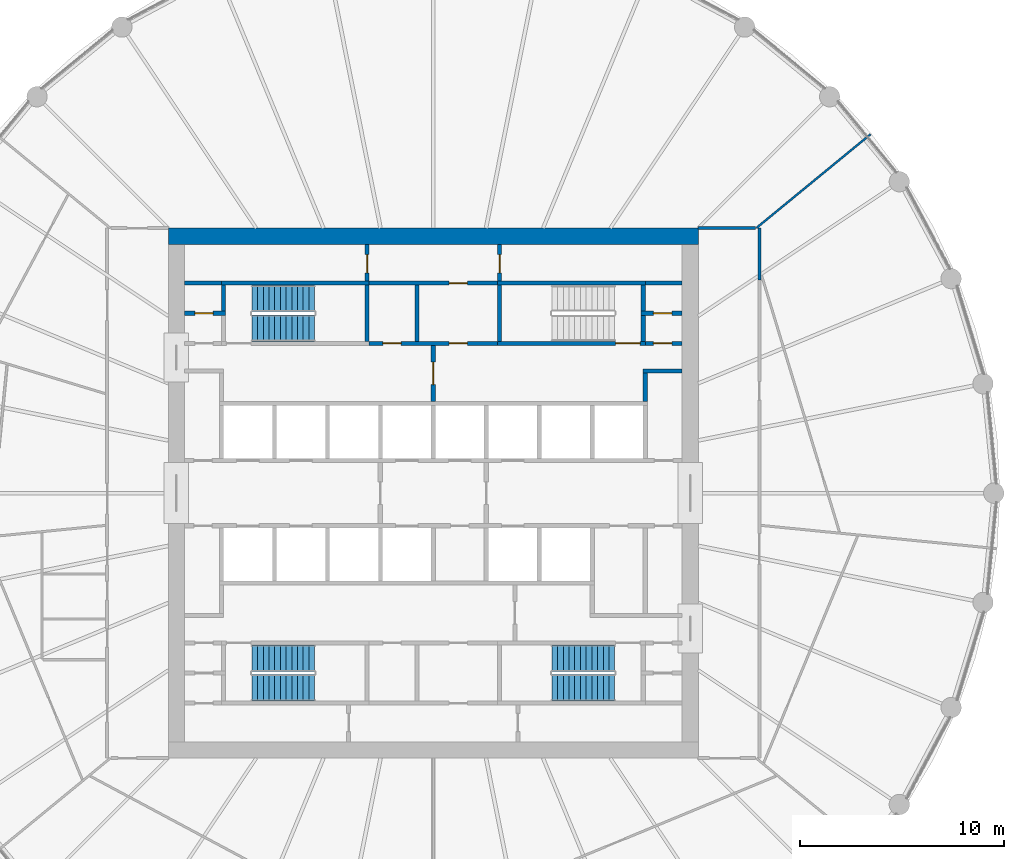
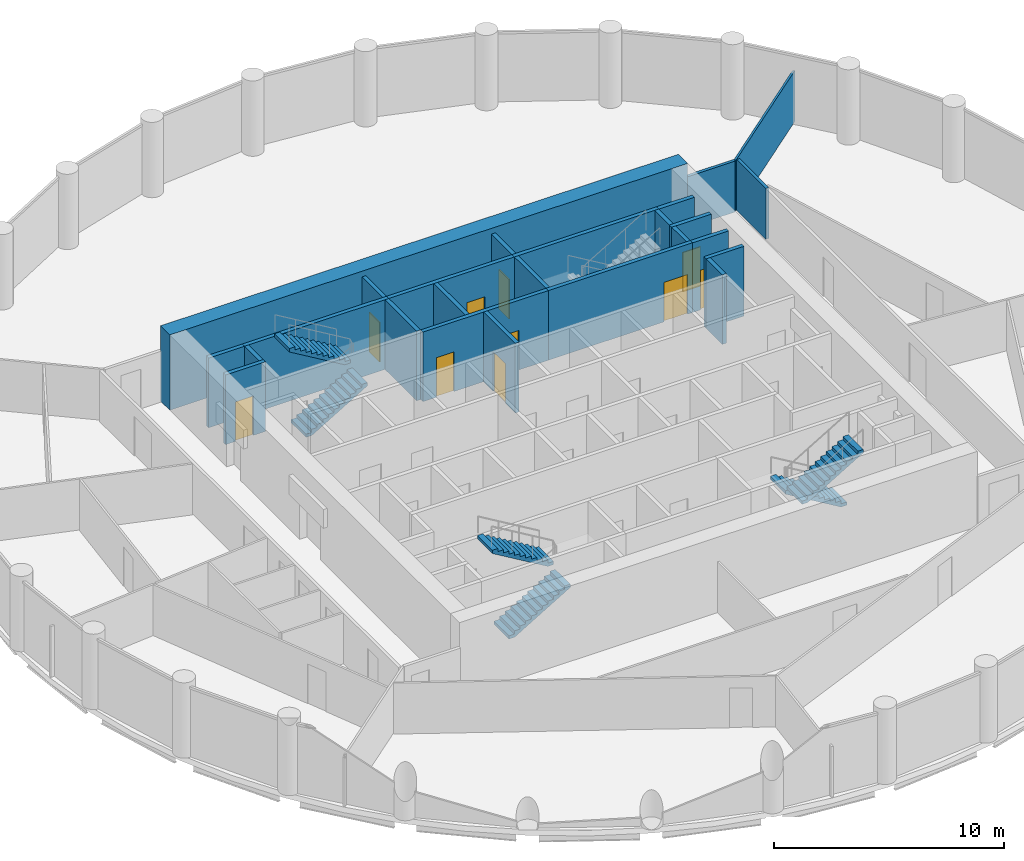
# One storey, part 7 of 9: 25 walls, 10 doors, 6 stair flights, 10 openings, 3 elements without a shape of their own.
"""IFC4 building model written with IfcOpenShell, lengths in metres."""

from ifc_helpers import new_model, si_unit, direction, frame, frame_2d, origin, place, context, subcontext, project, spatial, polyline, rectangle, outline, extrude, material, layer, layer_set, type_object, element, fill, aggregate, save


model = new_model("IFC4")

# Units and contexts
model_context = context("Model", 3, precision=1e-05, world=origin(), true_north=direction((0.0, 1.0)))
body_context = subcontext(model_context, "Body", "Model", "MODEL_VIEW")
ifc_project = project(units=[si_unit("LENGTHUNIT", "METRE"), si_unit("AREAUNIT", "SQUARE_METRE"), si_unit("VOLUMEUNIT", "CUBIC_METRE"), si_unit("PLANEANGLEUNIT", "RADIAN"), si_unit("MASSUNIT", "GRAM", prefix="KILO")], contexts=[model_context])

# Site, building, storey
site_placement = place(None, origin())
site = spatial("IfcSite", under=ifc_project, at=site_placement, CompositionType="ELEMENT")
building_placement = place(site_placement, origin())
building = spatial("IfcBuilding", under=site, at=building_placement, Name="Corvane Civic Tower", CompositionType="ELEMENT")
storey_placement = place(building_placement, frame((0.0, 0.0, 221.5)))
storey = spatial("IfcBuildingStorey", under=building, at=storey_placement, Name="L52", CompositionType="ELEMENT", Elevation=221.5)

# Wall
ifc_material_1 = material(Name="Concrete C50/60", Category="concrete")
ifc_layer_1 = layer(ifc_material_1, 0.800048828125)
ifc_layer_set_1 = layer_set([ifc_layer_1], Name="Concrete C50/60")
wall_type_1 = type_object("IfcWallType", Name="CORE WALL 800 C50/60", PredefinedType="SHEAR", material=ifc_layer_set_1)
wall_1_placement = place(storey_placement, frame((-13.0, 12.60009765625, 0.0), z_axis=(0.0, 0.0, 1.0), x_axis=(1.0, 0.0, 0.0)))
element("IfcWall", 1, at=wall_1_placement, inside=storey, type_object=wall_type_1, Name="W-L52-core-N", PredefinedType="SHEAR", context=body_context, shape_type="SweptSolid", body=[
    extrude(rectangle(XDim=26.0, YDim=0.800048828125, at=frame_2d((13.0, 0.0))), origin(), (0.0, 0.0, 1.0), 4.0),
])

# Wall, openings, doors
ifc_material_2 = material(Name="Concrete C30/37", Category="concrete")
ifc_layer_2 = layer(ifc_material_2, 0.199951171875)
ifc_layer_set_2 = layer_set([ifc_layer_2], Name="Concrete C30/37")
wall_type_2 = type_object("IfcWallType", Name="CR-WALL-200", PredefinedType="PARTITIONING", material=ifc_layer_set_2)
wall_2_placement = place(storey_placement, frame((-3.14990234375, 7.35009765625, 0.0), z_axis=(0.0, 0.0, 1.0), x_axis=(1.0, 0.0, 0.0)))
wall_2 = element("IfcWall", 2, at=wall_2_placement, inside=storey, type_object=wall_type_2, Name="L52 partition wall", PredefinedType="PARTITIONING", context=body_context, shape_type="SweptSolid", body=[
    extrude(rectangle(XDim=6.2998046875, YDim=0.199951171875, at=frame_2d((3.14990234375, 0.0))), origin(), (0.0, 0.0, 1.0), 3.699951171875),
])
opening_1_placement = place(wall_2_placement, frame((0.675048828125, 0.0, 0.0)))
opening_1 = element("IfcOpeningElement", 3, at=opening_1_placement, cuts=wall_2, Name="Opening L52.C07", PredefinedType="OPENING", context=body_context, shape_type="SweptSolid", body=[
    extrude(rectangle(XDim=0.89990234375, YDim=2.10009765625, at=frame_2d((0.449951171875, 1.050048828125))), frame((0.0, 0.10986328125, 0.0), z_axis=(0.0, -1.0, 0.0), x_axis=(1.0, 0.0, 0.0)), (0.0, 0.0, 1.0), 0.219970703125),
])
opening_2_placement = place(wall_2_placement, frame((3.925048828125, 0.0, 0.0)))
opening_2 = element("IfcOpeningElement", 4, at=opening_2_placement, cuts=wall_2, Name="Opening L52.C08", PredefinedType="OPENING", context=body_context, shape_type="SweptSolid", body=[
    extrude(rectangle(XDim=0.89990234375, YDim=2.10009765625, at=frame_2d((0.449951171875, 1.050048828125))), frame((0.0, 0.10986328125, 0.0), z_axis=(0.0, -1.0, 0.0), x_axis=(1.0, 0.0, 0.0)), (0.0, 0.0, 1.0), 0.219970703125),
])
ifc_material_3 = material(Name="Steel fire door leaf", Category="steel")
door_type_1 = type_object("IfcDoorType", Name="CR-DOOR-900", OperationType="SINGLE_SWING_LEFT", PredefinedType="DOOR", material=ifc_material_3)
door_1_placement = place(opening_1_placement, origin())
door_1 = element("IfcDoor", 5, at=door_1_placement, inside=storey, type_object=door_type_1, Name="L52 door", OperationType="SINGLE_SWING_LEFT", OverallHeight=2.10009765625, OverallWidth=0.89990234375, PredefinedType="DOOR", context=body_context, shape_type="SweptSolid", body=[
    extrude(rectangle(XDim=0.89990234375, YDim=2.10009765625, at=frame_2d((0.449951171875, 1.050048828125))), frame((0.0, 0.02490234375, 0.0), z_axis=(0.0, -1.0, 0.0), x_axis=(1.0, 0.0, 0.0)), (0.0, 0.0, 1.0), 0.050048828125),
])
fill(opening_1, door_1)
door_2_placement = place(opening_2_placement, origin())
door_2 = element("IfcDoor", 6, at=door_2_placement, inside=storey, type_object=door_type_1, Name="L52 door", OperationType="SINGLE_SWING_LEFT", OverallHeight=2.10009765625, OverallWidth=0.89990234375, PredefinedType="DOOR", context=body_context, shape_type="SweptSolid", body=[
    extrude(rectangle(XDim=0.89990234375, YDim=2.10009765625, at=frame_2d((0.449951171875, 1.050048828125))), frame((0.0, 0.02490234375, 0.0), z_axis=(0.0, -1.0, 0.0), x_axis=(1.0, 0.0, 0.0)), (0.0, 0.0, 1.0), 0.050048828125),
])
fill(opening_2, door_2)

# Wall, opening, door
wall_3_placement = place(storey_placement, frame((10.39990234375, 7.35009765625, 0.0), z_axis=(0.0, 0.0, 1.0), x_axis=(1.0, 0.0, 0.0)))
wall_3 = element("IfcWall", 7, at=wall_3_placement, inside=storey, type_object=wall_type_2, Name="L52 core partition wall", PredefinedType="PARTITIONING", context=body_context, shape_type="SweptSolid", body=[
    extrude(rectangle(XDim=1.800048828125, YDim=0.199951171875, at=frame_2d((0.89990234375, 0.0))), origin(), (0.0, 0.0, 1.0), 3.699951171875),
])
opening_3_placement = place(wall_3_placement, frame((0.39990234375, 0.0, 0.0)))
opening_3 = element("IfcOpeningElement", 8, at=opening_3_placement, cuts=wall_3, Name="Opening L52.C22", PredefinedType="OPENING", context=body_context, shape_type="SweptSolid", body=[
    extrude(rectangle(XDim=0.89990234375, YDim=2.10009765625, at=frame_2d((0.449951171875, 1.050048828125))), frame((0.0, 0.10986328125, 0.0), z_axis=(0.0, -1.0, 0.0), x_axis=(1.0, 0.0, 0.0)), (0.0, 0.0, 1.0), 0.219970703125),
])
door_3_placement = place(opening_3_placement, origin())
door_3 = element("IfcDoor", 9, at=door_3_placement, inside=storey, type_object=door_type_1, Name="L52 door", OperationType="SINGLE_SWING_LEFT", OverallHeight=2.10009765625, OverallWidth=0.89990234375, PredefinedType="DOOR", context=body_context, shape_type="SweptSolid", body=[
    extrude(rectangle(XDim=0.89990234375, YDim=2.10009765625, at=frame_2d((0.449951171875, 1.050048828125))), frame((0.0, 0.02490234375, 0.0), z_axis=(0.0, -1.0, 0.0), x_axis=(1.0, 0.0, 0.0)), (0.0, 0.0, 1.0), 0.050048828125),
])
fill(opening_3, door_3)

wall_4_placement = place(storey_placement, frame((-12.199951171875, 8.824951171875, 0.0), z_axis=(0.0, 0.0, 1.0), x_axis=(1.0, 0.0, 0.0)))
wall_4 = element("IfcWall", 10, at=wall_4_placement, inside=storey, type_object=wall_type_2, Name="L52 partition wall", PredefinedType="PARTITIONING", context=body_context, shape_type="SweptSolid", body=[
    extrude(rectangle(XDim=2.0, YDim=0.199951171875, at=frame_2d((1.0, 0.0))), origin(), (0.0, 0.0, 1.0), 3.699951171875),
])
opening_4_placement = place(wall_4_placement, frame((0.5, 0.0, 0.0)))
opening_4 = element("IfcOpeningElement", 11, at=opening_4_placement, cuts=wall_4, Name="Opening L52.C18", PredefinedType="OPENING", context=body_context, shape_type="SweptSolid", body=[
    extrude(rectangle(XDim=0.89990234375, YDim=2.10009765625, at=frame_2d((0.449951171875, 1.050048828125))), frame((0.0, 0.10986328125, 0.0), z_axis=(0.0, -1.0, 0.0), x_axis=(1.0, 0.0, 0.0)), (0.0, 0.0, 1.0), 0.219970703125),
])
door_4_placement = place(opening_4_placement, origin())
door_4 = element("IfcDoor", 12, at=door_4_placement, inside=storey, type_object=door_type_1, Name="L52 door", OperationType="SINGLE_SWING_LEFT", OverallHeight=2.10009765625, OverallWidth=0.89990234375, PredefinedType="DOOR", context=body_context, shape_type="SweptSolid", body=[
    extrude(rectangle(XDim=0.89990234375, YDim=2.10009765625, at=frame_2d((0.449951171875, 1.050048828125))), frame((0.0, 0.02490234375, 0.0), z_axis=(0.0, -1.0, 0.0), x_axis=(1.0, 0.0, 0.0)), (0.0, 0.0, 1.0), 0.050048828125),
])
fill(opening_4, door_4)

wall_5_placement = place(storey_placement, frame((10.199951171875, 8.824951171875, 0.0), z_axis=(0.0, 0.0, 1.0), x_axis=(1.0, 0.0, 0.0)))
wall_5 = element("IfcWall", 13, at=wall_5_placement, inside=storey, type_object=wall_type_2, Name="L52 partition wall", PredefinedType="PARTITIONING", context=body_context, shape_type="SweptSolid", body=[
    extrude(rectangle(XDim=2.0, YDim=0.199951171875, at=frame_2d((1.0, 0.0))), origin(), (0.0, 0.0, 1.0), 3.699951171875),
])
opening_5_placement = place(wall_5_placement, frame((0.60009765625, 0.0, 0.0)))
opening_5 = element("IfcOpeningElement", 14, at=opening_5_placement, cuts=wall_5, Name="Opening L52.C23", PredefinedType="OPENING", context=body_context, shape_type="SweptSolid", body=[
    extrude(rectangle(XDim=0.89990234375, YDim=2.10009765625, at=frame_2d((0.449951171875, 1.050048828125))), frame((0.0, 0.10986328125, 0.0), z_axis=(0.0, -1.0, 0.0), x_axis=(1.0, 0.0, 0.0)), (0.0, 0.0, 1.0), 0.219970703125),
])
door_5_placement = place(opening_5_placement, origin())
door_5 = element("IfcDoor", 15, at=door_5_placement, inside=storey, type_object=door_type_1, Name="L52 door", OperationType="SINGLE_SWING_LEFT", OverallHeight=2.10009765625, OverallWidth=0.89990234375, PredefinedType="DOOR", context=body_context, shape_type="SweptSolid", body=[
    extrude(rectangle(XDim=0.89990234375, YDim=2.10009765625, at=frame_2d((0.449951171875, 1.050048828125))), frame((0.0, 0.02490234375, 0.0), z_axis=(0.0, -1.0, 0.0), x_axis=(1.0, 0.0, 0.0)), (0.0, 0.0, 1.0), 0.050048828125),
])
fill(opening_5, door_5)

wall_6_placement = place(storey_placement, frame((-3.14990234375, 10.300048828125, 0.0), z_axis=(0.0, 0.0, 1.0), x_axis=(1.0, 0.0, 0.0)))
wall_6 = element("IfcWall", 16, at=wall_6_placement, inside=storey, type_object=wall_type_2, Name="L52 partition wall", PredefinedType="PARTITIONING", context=body_context, shape_type="SweptSolid", body=[
    extrude(rectangle(XDim=6.2998046875, YDim=0.199951171875, at=frame_2d((3.14990234375, 0.0))), origin(), (0.0, 0.0, 1.0), 3.699951171875),
])
opening_6_placement = place(wall_6_placement, frame((3.925048828125, 0.0, 0.0)))
opening_6 = element("IfcOpeningElement", 17, at=opening_6_placement, cuts=wall_6, Name="Opening L52.C12", PredefinedType="OPENING", context=body_context, shape_type="SweptSolid", body=[
    extrude(rectangle(XDim=0.89990234375, YDim=2.10009765625, at=frame_2d((0.449951171875, 1.050048828125))), frame((0.0, 0.10986328125, 0.0), z_axis=(0.0, -1.0, 0.0), x_axis=(1.0, 0.0, 0.0)), (0.0, 0.0, 1.0), 0.219970703125),
])
door_6_placement = place(opening_6_placement, origin())
door_6 = element("IfcDoor", 18, at=door_6_placement, inside=storey, type_object=door_type_1, Name="L52 door", OperationType="SINGLE_SWING_LEFT", OverallHeight=2.10009765625, OverallWidth=0.89990234375, PredefinedType="DOOR", context=body_context, shape_type="SweptSolid", body=[
    extrude(rectangle(XDim=0.89990234375, YDim=2.10009765625, at=frame_2d((0.449951171875, 1.050048828125))), frame((0.0, 0.02490234375, 0.0), z_axis=(0.0, -1.0, 0.0), x_axis=(1.0, 0.0, 0.0)), (0.0, 0.0, 1.0), 0.050048828125),
])
fill(opening_6, door_6)

wall_7_placement = place(storey_placement, frame((-3.25, 10.39990234375, 0.0), z_axis=(0.0, 0.0, 1.0), x_axis=(0.0, 1.0, 0.0)))
wall_7 = element("IfcWall", 19, at=wall_7_placement, inside=storey, type_object=wall_type_2, Name="L52 partition wall", PredefinedType="PARTITIONING", context=body_context, shape_type="SweptSolid", body=[
    extrude(rectangle(XDim=1.800048828125, YDim=0.199951171875, at=frame_2d((0.89990234375, 0.0))), origin(), (0.0, 0.0, 1.0), 3.699951171875),
])
opening_7_placement = place(wall_7_placement, frame((0.39990234375, 0.0, 0.0)))
opening_7 = element("IfcOpeningElement", 20, at=opening_7_placement, cuts=wall_7, Name="Opening L52.C11", PredefinedType="OPENING", context=body_context, shape_type="SweptSolid", body=[
    extrude(rectangle(XDim=0.89990234375, YDim=2.10009765625, at=frame_2d((0.449951171875, 1.050048828125))), frame((0.0, 0.10986328125, 0.0), z_axis=(0.0, -1.0, 0.0), x_axis=(1.0, 0.0, 0.0)), (0.0, 0.0, 1.0), 0.219970703125),
])
door_7_placement = place(opening_7_placement, origin())
door_7 = element("IfcDoor", 21, at=door_7_placement, inside=storey, type_object=door_type_1, Name="L52 door", OperationType="SINGLE_SWING_LEFT", OverallHeight=2.10009765625, OverallWidth=0.89990234375, PredefinedType="DOOR", context=body_context, shape_type="SweptSolid", body=[
    extrude(rectangle(XDim=0.89990234375, YDim=2.10009765625, at=frame_2d((0.449951171875, 1.050048828125))), frame((0.0, 0.02490234375, 0.0), z_axis=(0.0, -1.0, 0.0), x_axis=(1.0, 0.0, 0.0)), (0.0, 0.0, 1.0), 0.050048828125),
])
fill(opening_7, door_7)

wall_8_placement = place(storey_placement, frame((0.0, 4.5, 0.0), z_axis=(0.0, 0.0, 1.0), x_axis=(0.0, 1.0, 0.0)))
wall_8 = element("IfcWall", 22, at=wall_8_placement, inside=storey, type_object=wall_type_2, Name="L52 core partition wall", PredefinedType="PARTITIONING", context=body_context, shape_type="SweptSolid", body=[
    extrude(rectangle(XDim=2.75, YDim=0.199951171875, at=frame_2d((1.375, 0.0))), origin(), (0.0, 0.0, 1.0), 3.699951171875),
])
opening_8_placement = place(wall_8_placement, frame((0.824951171875, 0.0, 0.0)))
opening_8 = element("IfcOpeningElement", 23, at=opening_8_placement, cuts=wall_8, Name="Opening L52.C32", PredefinedType="OPENING", context=body_context, shape_type="SweptSolid", body=[
    extrude(rectangle(XDim=1.10009765625, YDim=2.10009765625, at=frame_2d((0.550048828125, 1.050048828125))), frame((0.0, 0.10986328125, 0.0), z_axis=(0.0, -1.0, 0.0), x_axis=(1.0, 0.0, 0.0)), (0.0, 0.0, 1.0), 0.219970703125),
])
ifc_material_4 = material(Name="Steel fire door leaf", Category="steel")
door_type_2 = type_object("IfcDoorType", Name="CR-DOOR-FFL-1100", OperationType="SINGLE_SWING_LEFT", PredefinedType="DOOR", material=ifc_material_4)
door_8_placement = place(opening_8_placement, origin())
door_8 = element("IfcDoor", 24, at=door_8_placement, inside=storey, type_object=door_type_2, Name="L52 lobby door", OperationType="SINGLE_SWING_LEFT", OverallHeight=2.10009765625, OverallWidth=1.10009765625, PredefinedType="DOOR", context=body_context, shape_type="SweptSolid", body=[
    extrude(rectangle(XDim=1.10009765625, YDim=2.10009765625, at=frame_2d((0.550048828125, 1.050048828125))), frame((0.0, 0.02490234375, 0.0), z_axis=(0.0, -1.0, 0.0), x_axis=(1.0, 0.0, 0.0)), (0.0, 0.0, 1.0), 0.050048828125),
])
fill(opening_8, door_8)

wall_9_placement = place(storey_placement, frame((3.25, 10.39990234375, 0.0), z_axis=(0.0, 0.0, 1.0), x_axis=(0.0, 1.0, 0.0)))
wall_9 = element("IfcWall", 25, at=wall_9_placement, inside=storey, type_object=wall_type_2, Name="L52 partition wall", PredefinedType="PARTITIONING", context=body_context, shape_type="SweptSolid", body=[
    extrude(rectangle(XDim=1.800048828125, YDim=0.199951171875, at=frame_2d((0.89990234375, 0.0))), origin(), (0.0, 0.0, 1.0), 3.699951171875),
])
opening_9_placement = place(wall_9_placement, frame((0.39990234375, 0.0, 0.0)))
opening_9 = element("IfcOpeningElement", 26, at=opening_9_placement, cuts=wall_9, Name="Opening L52.C13", PredefinedType="OPENING", context=body_context, shape_type="SweptSolid", body=[
    extrude(rectangle(XDim=0.89990234375, YDim=2.10009765625, at=frame_2d((0.449951171875, 1.050048828125))), frame((0.0, 0.10986328125, 0.0), z_axis=(0.0, -1.0, 0.0), x_axis=(1.0, 0.0, 0.0)), (0.0, 0.0, 1.0), 0.219970703125),
])
door_9_placement = place(opening_9_placement, origin())
door_9 = element("IfcDoor", 27, at=door_9_placement, inside=storey, type_object=door_type_1, Name="L52 door", OperationType="SINGLE_SWING_LEFT", OverallHeight=2.10009765625, OverallWidth=0.89990234375, PredefinedType="DOOR", context=body_context, shape_type="SweptSolid", body=[
    extrude(rectangle(XDim=0.89990234375, YDim=2.10009765625, at=frame_2d((0.449951171875, 1.050048828125))), frame((0.0, 0.02490234375, 0.0), z_axis=(0.0, -1.0, 0.0), x_axis=(1.0, 0.0, 0.0)), (0.0, 0.0, 1.0), 0.050048828125),
])
fill(opening_9, door_9)

# Walls
wall_10_placement = place(storey_placement, origin())
element("IfcWall", 28, at=wall_10_placement, inside=storey, type_object=wall_type_2, Name="L52 core partition wall", PredefinedType="PARTITIONING", context=body_context, shape_type="SweptSolid", body=[
    extrude(outline(polyline([(12.199951171875, 5.89990234375), (10.300048828125, 5.89990234375), (10.300048828125, 6.10009765625), (12.199951171875, 6.10009765625), (12.199951171875, 5.89990234375)])), origin(), (0.0, 0.0, 1.0), 3.699951171875),
])
wall_11_placement = place(storey_placement, origin())
element("IfcWall", 29, at=wall_11_placement, inside=storey, type_object=wall_type_2, Name="L52 core partition wall", PredefinedType="PARTITIONING", context=body_context, shape_type="SweptSolid", body=[
    extrude(outline(polyline([(10.5, 4.5), (10.300048828125, 4.5), (10.300048828125, 5.89990234375), (10.5, 5.89990234375), (10.5, 4.5)])), origin(), (0.0, 0.0, 1.0), 3.699951171875),
])
wall_12_placement = place(storey_placement, origin())
element("IfcWall", 30, at=wall_12_placement, inside=storey, type_object=wall_type_2, Name="L52 core partition wall", PredefinedType="PARTITIONING", context=body_context, shape_type="SweptSolid", body=[
    extrude(outline(polyline([(-10.39990234375, 10.199951171875), (-12.199951171875, 10.199951171875), (-12.199951171875, 10.39990234375), (-10.39990234375, 10.39990234375), (-10.39990234375, 10.199951171875)])), origin(), (0.0, 0.0, 1.0), 3.699951171875),
])
wall_13_placement = place(storey_placement, origin())
element("IfcWall", 31, at=wall_13_placement, inside=storey, type_object=wall_type_2, Name="L52 core partition wall", PredefinedType="PARTITIONING", context=body_context, shape_type="SweptSolid", body=[
    extrude(outline(polyline([(-0.699951171875, 7.449951171875), (-0.89990234375, 7.449951171875), (-0.89990234375, 10.199951171875), (-0.699951171875, 10.199951171875), (-0.699951171875, 7.449951171875)])), origin(), (0.0, 0.0, 1.0), 3.699951171875),
])
wall_14_placement = place(storey_placement, origin())
element("IfcWall", 32, at=wall_14_placement, inside=storey, type_object=wall_type_2, Name="L52 core partition wall", PredefinedType="PARTITIONING", context=body_context, shape_type="SweptSolid", body=[
    extrude(outline(polyline([(10.39990234375, 10.199951171875), (10.39990234375, 10.39990234375), (12.199951171875, 10.39990234375), (12.199951171875, 10.199951171875), (10.39990234375, 10.199951171875)])), origin(), (0.0, 0.0, 1.0), 3.699951171875),
])
ifc_material_5 = material(Name="Plasterboard")
ifc_layer_3 = layer(ifc_material_5, 0.10009765625)
ifc_layer_set_3 = layer_set([ifc_layer_3], Name="Plasterboard")
wall_type_3 = type_object("IfcWallType", Name="Partition 100 plasterboard on studs", PredefinedType="PARTITIONING", material=ifc_layer_set_3)
wall_15_placement = place(storey_placement, frame((15.8544921875, 13.01123046875, 0.0), z_axis=(0.0, 0.0, 1.0), x_axis=(0.772997895748, 0.634408585352, 0.0)))
element("IfcWall", 33, at=wall_15_placement, inside=storey, type_object=wall_type_3, Name="Partition L52.029", PredefinedType="PARTITIONING", context=body_context, shape_type="SweptSolid", body=[
    extrude(rectangle(XDim=7.240234375, YDim=0.10009765625, at=frame_2d((3.6201171875, 0.0))), origin(), (0.0, 0.0, 1.0), 2.699951171875),
])

# Wall, opening, door
ifc_material_6 = material(Name="Concrete C50/60", Category="concrete")
ifc_layer_4 = layer(ifc_material_6, 0.199951171875)
ifc_layer_set_4 = layer_set([ifc_layer_4], Name="Concrete C50/60")
wall_type_4 = type_object("IfcWallType", Name="ST-WALL-200", PredefinedType="SHEAR", material=ifc_layer_set_4)
wall_16_placement = place(storey_placement, frame((3.14990234375, 7.35009765625, 0.0), z_axis=(0.0, 0.0, 1.0), x_axis=(1.0, 0.0, 0.0)))
wall_16 = element("IfcWall", 34, at=wall_16_placement, inside=storey, type_object=wall_type_4, Name="L52 stair enclosure wall", PredefinedType="SHEAR", context=body_context, shape_type="SweptSolid", body=[
    extrude(rectangle(XDim=7.25, YDim=0.199951171875, at=frame_2d((3.625, 0.0))), origin(), (0.0, 0.0, 1.0), 3.699951171875),
])
opening_10_placement = place(wall_16_placement, frame((5.800048828125, 0.0, 0.0)))
opening_10 = element("IfcOpeningElement", 35, at=opening_10_placement, cuts=wall_16, Name="Opening L52.C26", PredefinedType="OPENING", context=body_context, shape_type="SweptSolid", body=[
    extrude(rectangle(XDim=1.199951171875, YDim=2.10009765625, at=frame_2d((0.60009765625, 1.050048828125))), frame((0.0, 0.10986328125, 0.0), z_axis=(0.0, -1.0, 0.0), x_axis=(1.0, 0.0, 0.0)), (0.0, 0.0, 1.0), 0.219970703125),
])
ifc_material_7 = material(Name="Steel fire door leaf", Category="steel")
door_type_3 = type_object("IfcDoorType", Name="ST-DOOR-1200", OperationType="SINGLE_SWING_RIGHT", PredefinedType="DOOR", material=ifc_material_7)
door_10_placement = place(opening_10_placement, origin())
door_10 = element("IfcDoor", 36, at=door_10_placement, inside=storey, type_object=door_type_3, Name="L52 stair door", OperationType="SINGLE_SWING_RIGHT", OverallHeight=2.10009765625, OverallWidth=1.199951171875, PredefinedType="DOOR", context=body_context, shape_type="SweptSolid", body=[
    extrude(rectangle(XDim=1.199951171875, YDim=2.10009765625, at=frame_2d((0.60009765625, 1.050048828125))), frame((0.0, 0.02490234375, 0.0), z_axis=(0.0, -1.0, 0.0), x_axis=(1.0, 0.0, 0.0)), (0.0, 0.0, 1.0), 0.050048828125),
])
fill(opening_10, door_10)

# Walls
wall_17_placement = place(storey_placement, origin())
element("IfcWall", 37, at=wall_17_placement, inside=storey, type_object=wall_type_4, Name="L52 stair enclosure wall", PredefinedType="SHEAR", context=body_context, shape_type="SweptSolid", body=[
    extrude(outline(polyline([(-3.14990234375, 10.199951171875), (-10.39990234375, 10.199951171875), (-10.39990234375, 10.39990234375), (-3.14990234375, 10.39990234375), (-3.14990234375, 10.199951171875)])), origin(), (0.0, 0.0, 1.0), 3.699951171875),
])
wall_18_placement = place(storey_placement, origin())
element("IfcWall", 38, at=wall_18_placement, inside=storey, type_object=wall_type_4, Name="L52 stair enclosure wall", PredefinedType="SHEAR", context=body_context, shape_type="SweptSolid", body=[
    extrude(outline(polyline([(10.39990234375, 10.199951171875), (3.14990234375, 10.199951171875), (3.14990234375, 10.39990234375), (10.39990234375, 10.39990234375), (10.39990234375, 10.199951171875)])), origin(), (0.0, 0.0, 1.0), 3.699951171875),
])
wall_19_placement = place(storey_placement, origin())
element("IfcWall", 39, at=wall_19_placement, inside=storey, type_object=wall_type_4, Name="L52 stair enclosure wall", PredefinedType="SHEAR", context=body_context, shape_type="SweptSolid", body=[
    extrude(outline(polyline([(-3.14990234375, 7.449951171875), (-3.35009765625, 7.449951171875), (-3.35009765625, 10.199951171875), (-3.14990234375, 10.199951171875), (-3.14990234375, 7.449951171875)])), origin(), (0.0, 0.0, 1.0), 3.699951171875),
])
wall_20_placement = place(storey_placement, origin())
element("IfcWall", 40, at=wall_20_placement, inside=storey, type_object=wall_type_4, Name="L52 stair enclosure wall", PredefinedType="SHEAR", context=body_context, shape_type="SweptSolid", body=[
    extrude(outline(polyline([(3.35009765625, 7.449951171875), (3.14990234375, 7.449951171875), (3.14990234375, 10.199951171875), (3.35009765625, 10.199951171875), (3.35009765625, 7.449951171875)])), origin(), (0.0, 0.0, 1.0), 3.699951171875),
])
wall_21_placement = place(storey_placement, origin())
element("IfcWall", 41, at=wall_21_placement, inside=storey, type_object=wall_type_4, Name="L52 stair enclosure wall", PredefinedType="SHEAR", context=body_context, shape_type="SweptSolid", body=[
    extrude(outline(polyline([(10.39990234375, 8.72509765625), (10.39990234375, 7.449951171875), (10.199951171875, 7.449951171875), (10.199951171875, 8.72509765625), (10.39990234375, 8.72509765625)])), origin(), (0.0, 0.0, 1.0), 3.699951171875),
])
wall_22_placement = place(storey_placement, origin())
element("IfcWall", 42, at=wall_22_placement, inside=storey, type_object=wall_type_4, Name="L52 stair enclosure wall", PredefinedType="SHEAR", context=body_context, shape_type="SweptSolid", body=[
    extrude(outline(polyline([(-10.199951171875, 8.925048828125), (-10.39990234375, 8.925048828125), (-10.39990234375, 10.199951171875), (-10.199951171875, 10.199951171875), (-10.199951171875, 8.925048828125)])), origin(), (0.0, 0.0, 1.0), 3.699951171875),
])
wall_23_placement = place(storey_placement, origin())
element("IfcWall", 43, at=wall_23_placement, inside=storey, type_object=wall_type_4, Name="L52 stair enclosure wall", PredefinedType="SHEAR", context=body_context, shape_type="SweptSolid", body=[
    extrude(outline(polyline([(10.39990234375, 8.925048828125), (10.199951171875, 8.925048828125), (10.199951171875, 10.199951171875), (10.39990234375, 10.199951171875), (10.39990234375, 8.925048828125)])), origin(), (0.0, 0.0, 1.0), 3.699951171875),
])
ifc_material_8 = material(Name="Plasterboard")
ifc_layer_5 = layer(ifc_material_8, 0.14990234375)
ifc_layer_set_5 = layer_set([ifc_layer_5], Name="Plasterboard")
wall_type_5 = type_object("IfcWallType", Name="Tenancy wall 150 EI 60", PredefinedType="PARTITIONING", material=ifc_layer_set_5)
wall_24_placement = place(storey_placement, frame((16.0, 10.459716796875, 0.0), z_axis=(0.0, 0.0, 1.0), x_axis=(0.0, 1.0, 0.0)))
element("IfcWall", 44, at=wall_24_placement, inside=storey, type_object=wall_type_5, Name="Partition L52.025", PredefinedType="PARTITIONING", context=body_context, shape_type="SweptSolid", body=[
    extrude(rectangle(XDim=2.540283203125, YDim=0.14990234375, at=frame_2d((1.27001953125, 0.0))), origin(), (0.0, 0.0, 1.0), 2.699951171875),
])
wall_25_placement = place(storey_placement, frame((12.989990234375, 13.0, 0.0), z_axis=(0.0, 0.0, 1.0), x_axis=(1.0, 0.0, 0.0)))
element("IfcWall", 45, at=wall_25_placement, inside=storey, type_object=wall_type_5, Name="Partition L52.027", PredefinedType="PARTITIONING", context=body_context, shape_type="SweptSolid", body=[
    extrude(rectangle(XDim=2.82373046875, YDim=0.14990234375, at=frame_2d((1.411865234375, 0.0))), origin(), (0.0, 0.0, 1.0), 2.699951171875),
])

# Stair, stair flights
ifc_material_9 = material(Name="Concrete C40/50", Category="concrete")
stair_type = type_object("IfcStairType", Name="ST-STAIR-HALFTURN", PredefinedType="HALF_TURN_STAIR", material=ifc_material_9)
stair_1_placement = place(storey_placement, origin())
stair_1 = element("IfcStair", 46, at=stair_1_placement, inside=storey, type_object=stair_type, Name="L52 Exit stair ST2", PredefinedType="HALF_TURN_STAIR")
ifc_material_10 = material(Name="Concrete C40/50", Category="concrete")
stair_flight_type = type_object("IfcStairFlightType", Name="ST-FLIGHT-RC", PredefinedType="STRAIGHT", material=ifc_material_10)
stair_flight_1_placement = place(storey_placement, frame((8.89990234375, -8.10009765625, 0.0), z_axis=(0.0, 0.0, 1.0), x_axis=(-1.0, 0.0, 0.0)))
stair_flight_1 = element("IfcStairFlight", 47, at=stair_flight_1_placement, type_object=stair_flight_type, Name="ST2 flight 1", NumberOfRisers=12, NumberOfTreads=11, PredefinedType="STRAIGHT", RiserHeight=0.166666667, TreadLength=0.28, context=body_context, shape_type="SweptSolid", body=[
    extrude(outline(polyline([(0.0, 0.0), (0.0, 0.166748046875), (0.280029296875, 0.166748046875), (0.280029296875, 0.333251953125), (0.56005859375, 0.333251953125), (0.56005859375, 0.5), (0.840087890625, 0.5), (0.840087890625, 0.666748046875), (1.1201171875, 0.666748046875), (1.1201171875, 0.833251953125), (1.39990234375, 0.833251953125), (1.39990234375, 1.0), (1.679931640625, 1.0), (1.679931640625, 1.166748046875), (1.9599609375, 1.166748046875), (1.9599609375, 1.333251953125), (2.239990234375, 1.333251953125), (2.239990234375, 1.5), (2.52001953125, 1.5), (2.52001953125, 1.666748046875), (2.800048828125, 1.666748046875), (2.800048828125, 1.833251953125), (3.080078125, 1.833251953125), (3.080078125, 2.0), (3.080078125, 1.658935546875), (0.29296875, 0.0), (0.0, 0.0)])), frame((0.0, 0.64990234375, 0.0), z_axis=(0.0, -1.0, 0.0), x_axis=(1.0, 0.0, 0.0)), (0.0, 0.0, 1.0), 1.300048828125),
])
stair_flight_2_placement = place(storey_placement, frame((5.820068359375, -9.550048828125, 2.0), z_axis=(0.0, 0.0, 1.0), x_axis=(1.0, 0.0, 0.0)))
stair_flight_2 = element("IfcStairFlight", 48, at=stair_flight_2_placement, type_object=stair_flight_type, Name="ST2 flight 2", NumberOfRisers=12, NumberOfTreads=11, PredefinedType="STRAIGHT", RiserHeight=0.166666667, TreadLength=0.28, context=body_context, shape_type="SweptSolid", body=[
    extrude(outline(polyline([(0.0, 0.0), (0.0, 0.166748046875), (0.280029296875, 0.166748046875), (0.280029296875, 0.333251953125), (0.56005859375, 0.333251953125), (0.56005859375, 0.5), (0.840087890625, 0.5), (0.840087890625, 0.666748046875), (1.1201171875, 0.666748046875), (1.1201171875, 0.833251953125), (1.39990234375, 0.833251953125), (1.39990234375, 1.0), (1.679931640625, 1.0), (1.679931640625, 1.166748046875), (1.9599609375, 1.166748046875), (1.9599609375, 1.333251953125), (2.239990234375, 1.333251953125), (2.239990234375, 1.5), (2.52001953125, 1.5), (2.52001953125, 1.666748046875), (2.800048828125, 1.666748046875), (2.800048828125, 1.833251953125), (3.080078125, 1.833251953125), (3.080078125, 2.0), (3.080078125, 1.658935546875), (0.29296875, 0.0), (0.0, 0.0)])), frame((0.0, 0.64990234375, 0.0), z_axis=(0.0, -1.0, 0.0), x_axis=(1.0, 0.0, 0.0)), (0.0, 0.0, 1.0), 1.300048828125),
])
aggregate(stair_1, [stair_flight_1, stair_flight_2])

stair_2_placement = place(storey_placement, origin())
stair_2 = element("IfcStair", 49, at=stair_2_placement, inside=storey, type_object=stair_type, Name="L52 Exit stair ST3", PredefinedType="HALF_TURN_STAIR")
stair_flight_3_placement = place(storey_placement, frame((-8.89990234375, -9.550048828125, 0.0), z_axis=(0.0, 0.0, 1.0), x_axis=(1.0, 0.0, 0.0)))
stair_flight_3 = element("IfcStairFlight", 50, at=stair_flight_3_placement, type_object=stair_flight_type, Name="ST3 flight 1", NumberOfRisers=12, NumberOfTreads=11, PredefinedType="STRAIGHT", RiserHeight=0.166666667, TreadLength=0.28, context=body_context, shape_type="SweptSolid", body=[
    extrude(outline(polyline([(0.0, 0.0), (0.0, 0.166748046875), (0.280029296875, 0.166748046875), (0.280029296875, 0.333251953125), (0.56005859375, 0.333251953125), (0.56005859375, 0.5), (0.840087890625, 0.5), (0.840087890625, 0.666748046875), (1.1201171875, 0.666748046875), (1.1201171875, 0.833251953125), (1.39990234375, 0.833251953125), (1.39990234375, 1.0), (1.679931640625, 1.0), (1.679931640625, 1.166748046875), (1.9599609375, 1.166748046875), (1.9599609375, 1.333251953125), (2.239990234375, 1.333251953125), (2.239990234375, 1.5), (2.52001953125, 1.5), (2.52001953125, 1.666748046875), (2.800048828125, 1.666748046875), (2.800048828125, 1.833251953125), (3.080078125, 1.833251953125), (3.080078125, 2.0), (3.080078125, 1.658935546875), (0.29296875, 0.0), (0.0, 0.0)])), frame((0.0, 0.64990234375, 0.0), z_axis=(0.0, -1.0, 0.0), x_axis=(1.0, 0.0, 0.0)), (0.0, 0.0, 1.0), 1.300048828125),
])
stair_flight_4_placement = place(storey_placement, frame((-5.820068359375, -8.10009765625, 2.0), z_axis=(0.0, 0.0, 1.0), x_axis=(-1.0, 0.0, 0.0)))
stair_flight_4 = element("IfcStairFlight", 51, at=stair_flight_4_placement, type_object=stair_flight_type, Name="ST3 flight 2", NumberOfRisers=12, NumberOfTreads=11, PredefinedType="STRAIGHT", RiserHeight=0.166666667, TreadLength=0.28, context=body_context, shape_type="SweptSolid", body=[
    extrude(outline(polyline([(0.0, 0.0), (0.0, 0.166748046875), (0.280029296875, 0.166748046875), (0.280029296875, 0.333251953125), (0.56005859375, 0.333251953125), (0.56005859375, 0.5), (0.840087890625, 0.5), (0.840087890625, 0.666748046875), (1.1201171875, 0.666748046875), (1.1201171875, 0.833251953125), (1.39990234375, 0.833251953125), (1.39990234375, 1.0), (1.679931640625, 1.0), (1.679931640625, 1.166748046875), (1.9599609375, 1.166748046875), (1.9599609375, 1.333251953125), (2.239990234375, 1.333251953125), (2.239990234375, 1.5), (2.52001953125, 1.5), (2.52001953125, 1.666748046875), (2.800048828125, 1.666748046875), (2.800048828125, 1.833251953125), (3.080078125, 1.833251953125), (3.080078125, 2.0), (3.080078125, 1.658935546875), (0.29296875, 0.0), (0.0, 0.0)])), frame((0.0, 0.64990234375, 0.0), z_axis=(0.0, -1.0, 0.0), x_axis=(1.0, 0.0, 0.0)), (0.0, 0.0, 1.0), 1.300048828125),
])
aggregate(stair_2, [stair_flight_3, stair_flight_4])

stair_3_placement = place(storey_placement, origin())
stair_3 = element("IfcStair", 52, at=stair_3_placement, inside=storey, type_object=stair_type, Name="L52 Exit stair ST4", PredefinedType="HALF_TURN_STAIR")
stair_flight_5_placement = place(storey_placement, frame((-8.89990234375, 8.10009765625, 0.0), z_axis=(0.0, 0.0, 1.0), x_axis=(1.0, 0.0, 0.0)))
stair_flight_5 = element("IfcStairFlight", 53, at=stair_flight_5_placement, type_object=stair_flight_type, Name="ST4 flight 1", NumberOfRisers=12, NumberOfTreads=11, PredefinedType="STRAIGHT", RiserHeight=0.166666667, TreadLength=0.28, context=body_context, shape_type="SweptSolid", body=[
    extrude(outline(polyline([(0.0, 0.0), (0.0, 0.166748046875), (0.280029296875, 0.166748046875), (0.280029296875, 0.333251953125), (0.56005859375, 0.333251953125), (0.56005859375, 0.5), (0.840087890625, 0.5), (0.840087890625, 0.666748046875), (1.1201171875, 0.666748046875), (1.1201171875, 0.833251953125), (1.39990234375, 0.833251953125), (1.39990234375, 1.0), (1.679931640625, 1.0), (1.679931640625, 1.166748046875), (1.9599609375, 1.166748046875), (1.9599609375, 1.333251953125), (2.239990234375, 1.333251953125), (2.239990234375, 1.5), (2.52001953125, 1.5), (2.52001953125, 1.666748046875), (2.800048828125, 1.666748046875), (2.800048828125, 1.833251953125), (3.080078125, 1.833251953125), (3.080078125, 2.0), (3.080078125, 1.658935546875), (0.29296875, 0.0), (0.0, 0.0)])), frame((0.0, 0.64990234375, 0.0), z_axis=(0.0, -1.0, 0.0), x_axis=(1.0, 0.0, 0.0)), (0.0, 0.0, 1.0), 1.300048828125),
])
stair_flight_6_placement = place(storey_placement, frame((-5.820068359375, 9.550048828125, 2.0), z_axis=(0.0, 0.0, 1.0), x_axis=(-1.0, 0.0, 0.0)))
stair_flight_6 = element("IfcStairFlight", 54, at=stair_flight_6_placement, type_object=stair_flight_type, Name="ST4 flight 2", NumberOfRisers=12, NumberOfTreads=11, PredefinedType="STRAIGHT", RiserHeight=0.166666667, TreadLength=0.28, context=body_context, shape_type="SweptSolid", body=[
    extrude(outline(polyline([(0.0, 0.0), (0.0, 0.166748046875), (0.280029296875, 0.166748046875), (0.280029296875, 0.333251953125), (0.56005859375, 0.333251953125), (0.56005859375, 0.5), (0.840087890625, 0.5), (0.840087890625, 0.666748046875), (1.1201171875, 0.666748046875), (1.1201171875, 0.833251953125), (1.39990234375, 0.833251953125), (1.39990234375, 1.0), (1.679931640625, 1.0), (1.679931640625, 1.166748046875), (1.9599609375, 1.166748046875), (1.9599609375, 1.333251953125), (2.239990234375, 1.333251953125), (2.239990234375, 1.5), (2.52001953125, 1.5), (2.52001953125, 1.666748046875), (2.800048828125, 1.666748046875), (2.800048828125, 1.833251953125), (3.080078125, 1.833251953125), (3.080078125, 2.0), (3.080078125, 1.658935546875), (0.29296875, 0.0), (0.0, 0.0)])), frame((0.0, 0.64990234375, 0.0), z_axis=(0.0, -1.0, 0.0), x_axis=(1.0, 0.0, 0.0)), (0.0, 0.0, 1.0), 1.300048828125),
])
aggregate(stair_3, [stair_flight_5, stair_flight_6])

save(model, "model.ifc")
